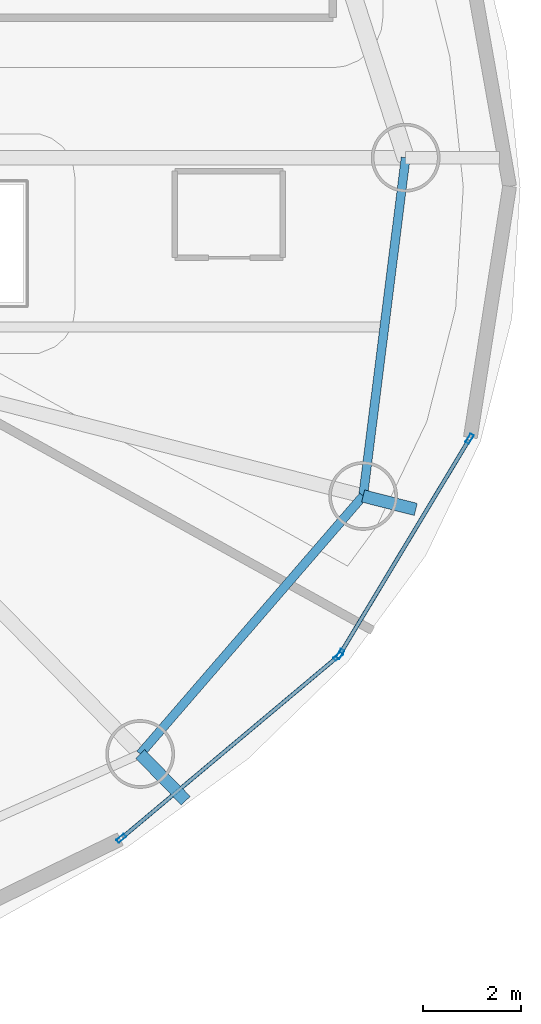
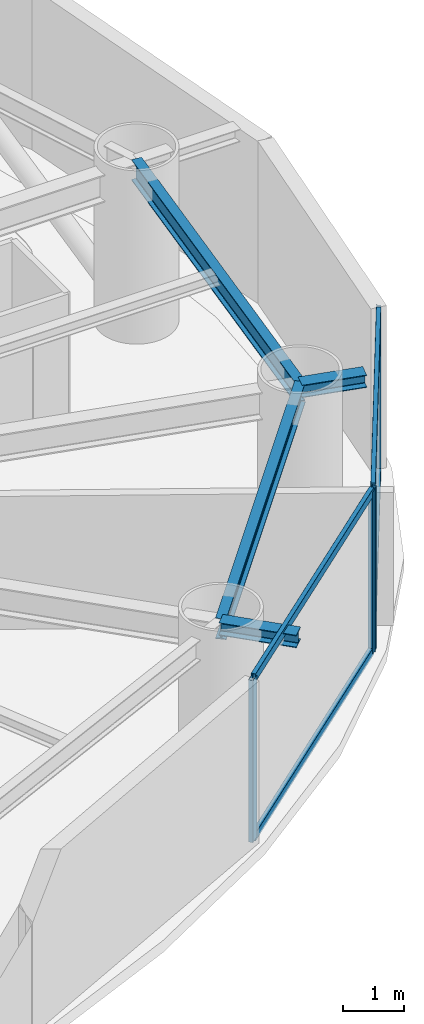
# One storey, part 5 of 20: 8 members, 4 beams, 2 elements without a shape of their own.
"""IFC4 building model written with IfcOpenShell, lengths in metres."""

from ifc_helpers import new_model, si_unit, direction, frame, origin, origin_2d, place, context, subcontext, project, spatial, hollow_rectangle, i_section, extrude, material, layer, layer_set, material_profile, profile_set, type_object, element, aggregate, save


model = new_model("IFC4")

# Units and contexts
model_context = context("Model", 3, precision=1e-05, world=origin(), true_north=direction((0.0, 1.0)))
body_context = subcontext(model_context, "Body", "Model", "MODEL_VIEW")
ifc_project = project(units=[si_unit("LENGTHUNIT", "METRE"), si_unit("AREAUNIT", "SQUARE_METRE"), si_unit("VOLUMEUNIT", "CUBIC_METRE"), si_unit("PLANEANGLEUNIT", "RADIAN"), si_unit("MASSUNIT", "GRAM", prefix="KILO")], contexts=[model_context])

# Site, building, storey
site_placement = place(None, origin())
site = spatial("IfcSite", under=ifc_project, at=site_placement, CompositionType="ELEMENT")
building_placement = place(site_placement, origin())
building = spatial("IfcBuilding", under=site, at=building_placement, Name="Bramvorn Convention Spire", CompositionType="ELEMENT")
storey_placement = place(building_placement, frame((0.0, 0.0, 113.300048828125)))
storey = spatial("IfcBuildingStorey", under=building, at=storey_placement, Name="L27", CompositionType="ELEMENT", Elevation=113.300048828125)

# Beams
ifc_material_1 = material(Name="Steel CSA G40.21 Grade 350 (350W)", Category="steel")
ifc_material_profile_1 = material_profile(ifc_material_1, i_section(OverallWidth=0.25390625, OverallDepth=0.2529296875, WebThickness=0.008544921875, FlangeThickness=0.01416015625, FilletRadius=0.011962890625, at=origin_2d()))
ifc_profile_set_1 = profile_set([ifc_material_profile_1], Name="Steel CSA G40.21 Grade 350 (350W) - W250X73")
beam_type_1 = type_object("IfcBeamType", Name="BM-W250X73", PredefinedType="BEAM", material=ifc_profile_set_1)
beam_1_placement = place(storey_placement, frame((62.11767578125, 15.26220703125, 3.133544921875), z_axis=(0.968870431075, -0.24756834973, 0.0), x_axis=(0.24756834973, 0.968870431075, 0.0)))
element("IfcBeam", 1, at=beam_1_placement, inside=storey, type_object=beam_type_1, Name="L27 slab-edge cantilever tip beam MC01", PredefinedType="BEAM", context=body_context, shape_type="SweptSolid", body=[
    extrude(i_section(OverallWidth=0.25390625, OverallDepth=0.2529296875, WebThickness=0.008544921875, FlangeThickness=0.01416015625, FilletRadius=0.011962890625, at=origin_2d()), origin(), (0.0, 0.0, 1.0), 1.1064453125),
])
beam_2_placement = place(storey_placement, frame((57.579833984375, 10.0107421875, 3.133544921875), z_axis=(0.698229680819, -0.715873810684, 0.0), x_axis=(0.715873810684, 0.698229680819, 0.0)))
element("IfcBeam", 2, at=beam_2_placement, inside=storey, type_object=beam_type_1, Name="L27 slab-edge cantilever tip beam MC16", PredefinedType="BEAM", context=body_context, shape_type="SweptSolid", body=[
    extrude(i_section(OverallWidth=0.25390625, OverallDepth=0.2529296875, WebThickness=0.008544921875, FlangeThickness=0.01416015625, FilletRadius=0.011962890625, at=origin_2d()), origin(), (0.0, 0.0, 1.0), 1.328369140625),
])
ifc_material_profile_2 = material_profile(ifc_material_1, i_section(OverallWidth=0.180908203125, OverallDepth=0.4169921875, WebThickness=0.010986328125, FlangeThickness=0.018310546875, FilletRadius=0.01611328125, at=origin_2d()))
ifc_profile_set_2 = profile_set([ifc_material_profile_2], Name="Steel CSA G40.21 Grade 350 (350W) - W410X85")
beam_type_2 = type_object("IfcBeamType", Name="BM-W410X85", PredefinedType="JOIST", material=ifc_profile_set_2)
beam_3_placement = place(storey_placement, frame((62.11767578125, 15.26220703125, 3.051513671875), z_axis=(0.124775053879, 0.992185056292, 0.0), x_axis=(-0.992185056292, 0.124775053879, 0.0)))
element("IfcBeam", 3, at=beam_3_placement, inside=storey, type_object=beam_type_2, Name="L27 mega-column ring beam 01", PredefinedType="JOIST", context=body_context, shape_type="SweptSolid", body=[
    extrude(i_section(OverallWidth=0.180908203125, OverallDepth=0.4169921875, WebThickness=0.010986328125, FlangeThickness=0.018310546875, FilletRadius=0.01611328125, at=origin_2d()), origin(), (0.0, 0.0, 1.0), 6.940185546875),
])
beam_4_placement = place(storey_placement, frame((57.579833984375, 10.0107421875, 3.051513671875), z_axis=(0.653824993824, 0.756645807132, 0.0), x_axis=(-0.756645807132, 0.653824993824, 0.0)))
element("IfcBeam", 4, at=beam_4_placement, inside=storey, type_object=beam_type_2, Name="L27 mega-column ring beam 16", PredefinedType="JOIST", context=body_context, shape_type="SweptSolid", body=[
    extrude(i_section(OverallWidth=0.180908203125, OverallDepth=0.4169921875, WebThickness=0.010986328125, FlangeThickness=0.018310546875, FilletRadius=0.01611328125, at=origin_2d()), origin(), (0.0, 0.0, 1.0), 6.9404296875),
])

# Curtain wall, members
ifc_material_2 = material(Name="Anodised Bronze Unitised Curtain Wall", Category="aluminium")
ifc_layer = layer(ifc_material_2, 0.179931640625)
ifc_layer_set = layer_set([ifc_layer], Name="Anodised Bronze Unitised Curtain Wall - CW-HTL-FRIT")
curtain_wall_type = type_object("IfcCurtainWallType", Name="CW-HTL-FRIT", PredefinedType="USERDEFINED", material=ifc_layer_set)
curtain_wall_1_placement = place(storey_placement, origin())
curtain_wall_1 = element("IfcCurtainWall", 5, at=curtain_wall_1_placement, inside=storey, type_object=curtain_wall_type, Name="L27 fritted glass curtain wall 23", ObjectType="UNITISED CURTAIN WALL", PredefinedType="USERDEFINED")
ifc_material_3 = material(Name="Anodised Bronze Aluminium 6063-T6", Category="aluminium")
ifc_material_profile_3 = material_profile(ifc_material_3, hollow_rectangle(XDim=0.080078125, YDim=0.199951171875, WallThickness=0.00390625, InnerFilletRadius=0.0009765625, OuterFilletRadius=0.00390625, at=origin_2d()))
ifc_profile_set_3 = profile_set([ifc_material_profile_3], Name="Anodised Bronze Aluminium 6063-T6 - CWM80X200")
member_type_1 = type_object("IfcMemberType", Name="CW-MUL-180", PredefinedType="MULLION", material=ifc_profile_set_3)
member_1_placement = place(storey_placement, frame((61.61083984375, 12.0, 0.0), z_axis=(0.0, 0.0, 1.0), x_axis=(0.642898418582, -0.765951449757, 0.0)))
member_1 = element("IfcMember", 6, at=member_1_placement, type_object=member_type_1, Name="CW2 mullion 1", PredefinedType="MULLION", context=body_context, shape_type="SweptSolid", body=[
    extrude(hollow_rectangle(XDim=0.080078125, YDim=0.199951171875, WallThickness=0.00390625, InnerFilletRadius=0.0009765625, OuterFilletRadius=0.00390625, at=origin_2d()), origin(), (0.0, 0.0, 1.0), 3.260009765625),
])
member_2_placement = place(storey_placement, frame((57.19677734375, 8.295166015625, 0.0), z_axis=(0.0, 0.0, 1.0), x_axis=(0.642898418582, -0.765951449757, 0.0)))
member_2 = element("IfcMember", 7, at=member_2_placement, type_object=member_type_1, Name="CW2 mullion 2", PredefinedType="MULLION", context=body_context, shape_type="SweptSolid", body=[
    extrude(hollow_rectangle(XDim=0.080078125, YDim=0.199951171875, WallThickness=0.00390625, InnerFilletRadius=0.0009765625, OuterFilletRadius=0.00390625, at=origin_2d()), origin(), (0.0, 0.0, 1.0), 3.260009765625),
])

curtain_wall_2_placement = place(storey_placement, origin())
curtain_wall_2 = element("IfcCurtainWall", 8, at=curtain_wall_2_placement, inside=storey, type_object=curtain_wall_type, Name="L27 fritted glass curtain wall 24", ObjectType="UNITISED CURTAIN WALL", PredefinedType="USERDEFINED")
member_3_placement = place(storey_placement, frame((64.285400390625, 16.427490234375, 0.0), z_axis=(0.0, 0.0, 1.0), x_axis=(0.856907467728, -0.515470262723, 0.0)))
member_3 = element("IfcMember", 9, at=member_3_placement, type_object=member_type_1, Name="CW2 mullion 1", PredefinedType="MULLION", context=body_context, shape_type="SweptSolid", body=[
    extrude(hollow_rectangle(XDim=0.080078125, YDim=0.199951171875, WallThickness=0.00390625, InnerFilletRadius=0.0009765625, OuterFilletRadius=0.00390625, at=origin_2d()), origin(), (0.0, 0.0, 1.0), 3.260009765625),
])
member_4_placement = place(storey_placement, frame((61.649169921875, 12.044921875, 0.0), z_axis=(0.0, 0.0, 1.0), x_axis=(0.856907467728, -0.515470262723, 0.0)))
member_4 = element("IfcMember", 10, at=member_4_placement, type_object=member_type_1, Name="CW2 mullion 2", PredefinedType="MULLION", context=body_context, shape_type="SweptSolid", body=[
    extrude(hollow_rectangle(XDim=0.080078125, YDim=0.199951171875, WallThickness=0.00390625, InnerFilletRadius=0.0009765625, OuterFilletRadius=0.00390625, at=origin_2d()), origin(), (0.0, 0.0, 1.0), 3.260009765625),
])

# Member
ifc_material_profile_4 = material_profile(ifc_material_3, hollow_rectangle(XDim=0.080078125, YDim=0.159912109375, WallThickness=0.00390625, InnerFilletRadius=0.0009765625, OuterFilletRadius=0.00390625, at=origin_2d()))
ifc_profile_set_4 = profile_set([ifc_material_profile_4], Name="Anodised Bronze Aluminium 6063-T6 - CWT80X160")
member_type_2 = type_object("IfcMemberType", Name="CW-TRN-150", PredefinedType="USERDEFINED", material=ifc_profile_set_4)
member_5_placement = place(storey_placement, frame((61.587646484375, 11.980712890625, 0.030029296875), z_axis=(-0.765946018926, -0.642904888838, 0.0), x_axis=(0.642904888838, -0.765946018926, 0.0)))
member_5 = element("IfcMember", 11, at=member_5_placement, type_object=member_type_2, Name="CW2 transom 1.1", ObjectType="TRANSOM", PredefinedType="USERDEFINED", context=body_context, shape_type="SweptSolid", body=[
    extrude(hollow_rectangle(XDim=0.080078125, YDim=0.159912109375, WallThickness=0.00390625, InnerFilletRadius=0.0009765625, OuterFilletRadius=0.00390625, at=origin_2d()), origin(), (0.0, 0.0, 1.0), 5.70263671875),
])

member_6_placement = place(storey_placement, frame((61.587646484375, 11.980712890625, 3.22998046875), z_axis=(-0.765946018926, -0.642904888838, 0.0), x_axis=(0.642904888838, -0.765946018926, 0.0)))
member_6 = element("IfcMember", 12, at=member_6_placement, type_object=member_type_2, Name="CW2 transom 1.2", ObjectType="TRANSOM", PredefinedType="USERDEFINED", context=body_context, shape_type="SweptSolid", body=[
    extrude(hollow_rectangle(XDim=0.080078125, YDim=0.159912109375, WallThickness=0.00390625, InnerFilletRadius=0.0009765625, OuterFilletRadius=0.00390625, at=origin_2d()), origin(), (0.0, 0.0, 1.0), 5.70263671875),
])

aggregate(curtain_wall_1, [member_1, member_2, member_5, member_6])

member_7_placement = place(storey_placement, frame((64.27001953125, 16.40185546875, 0.030029296875), z_axis=(-0.515489883472, -0.856895664616, 0.0), x_axis=(0.856895664616, -0.515489883472, 0.0)))
member_7 = element("IfcMember", 13, at=member_7_placement, type_object=member_type_2, Name="CW2 transom 1.1", ObjectType="TRANSOM", PredefinedType="USERDEFINED", context=body_context, shape_type="SweptSolid", body=[
    extrude(hollow_rectangle(XDim=0.080078125, YDim=0.159912109375, WallThickness=0.00390625, InnerFilletRadius=0.0009765625, OuterFilletRadius=0.00390625, at=origin_2d()), origin(), (0.0, 0.0, 1.0), 5.054443359375),
])

member_8_placement = place(storey_placement, frame((64.27001953125, 16.40185546875, 3.22998046875), z_axis=(-0.515489883472, -0.856895664616, 0.0), x_axis=(0.856895664616, -0.515489883472, 0.0)))
member_8 = element("IfcMember", 14, at=member_8_placement, type_object=member_type_2, Name="CW2 transom 1.2", ObjectType="TRANSOM", PredefinedType="USERDEFINED", context=body_context, shape_type="SweptSolid", body=[
    extrude(hollow_rectangle(XDim=0.080078125, YDim=0.159912109375, WallThickness=0.00390625, InnerFilletRadius=0.0009765625, OuterFilletRadius=0.00390625, at=origin_2d()), origin(), (0.0, 0.0, 1.0), 5.054443359375),
])

aggregate(curtain_wall_2, [member_3, member_4, member_7, member_8])

save(model, "model.ifc")
